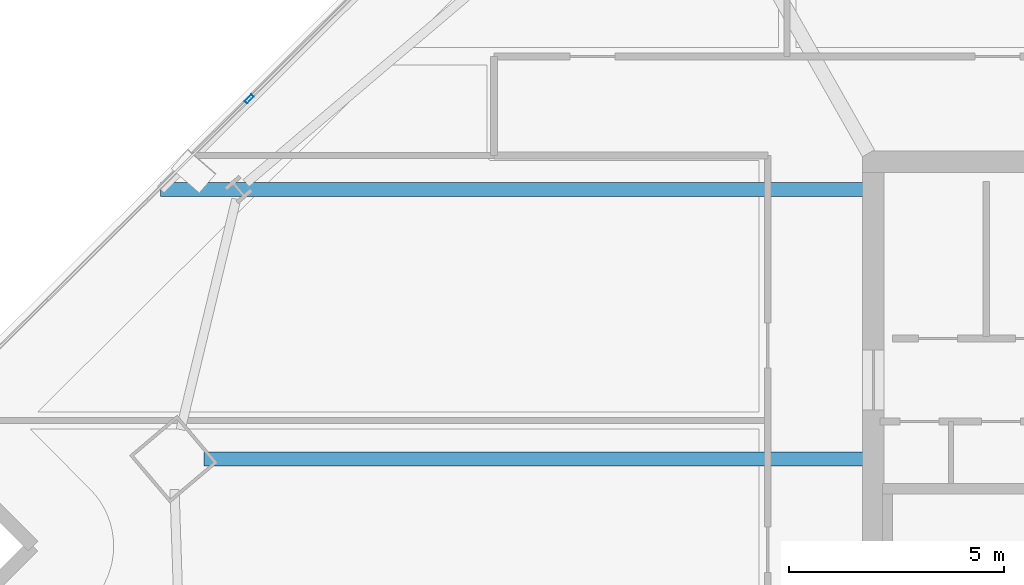
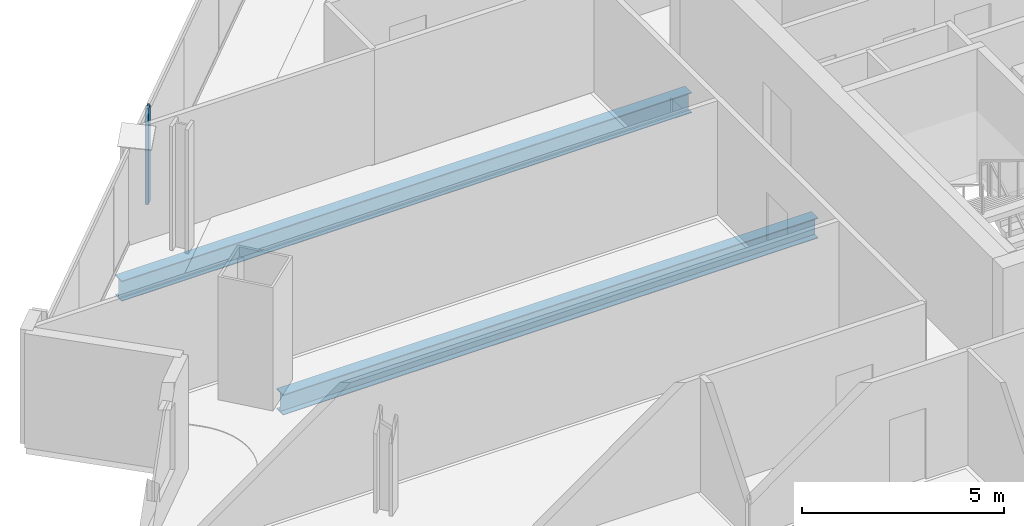
# One storey, part 14 of 32: 2 beams, 1 member, 1 element without a shape of its own.
"""IFC4 building model written with IfcOpenShell, lengths in metres."""

from ifc_helpers import new_model, si_unit, direction, frame, origin, origin_2d, place, context, subcontext, project, spatial, hollow_rectangle, i_section, extrude, material, material_profile, profile_set, type_object, element, aggregate, save


model = new_model("IFC4")

# Units and contexts
model_context = context("Model", 3, precision=1e-05, world=origin(), true_north=direction((0.0, 1.0)))
body_context = subcontext(model_context, "Body", "Model", "MODEL_VIEW")
ifc_project = project(units=[si_unit("LENGTHUNIT", "METRE"), si_unit("AREAUNIT", "SQUARE_METRE"), si_unit("VOLUMEUNIT", "CUBIC_METRE"), si_unit("PLANEANGLEUNIT", "RADIAN"), si_unit("MASSUNIT", "GRAM", prefix="KILO")], contexts=[model_context])

# Site, building, storey
site_placement = place(None, origin())
site = spatial("IfcSite", under=ifc_project, at=site_placement, CompositionType="ELEMENT")
building_placement = place(site_placement, origin())
building = spatial("IfcBuilding", under=site, at=building_placement, Name="Haldenkirk Collegiate Tower", CompositionType="ELEMENT")
storey_placement = place(building_placement, frame((0.0, 0.0, 178.199951171875)))
storey = spatial("IfcBuildingStorey", under=building, at=storey_placement, Name="L44", CompositionType="ELEMENT", Elevation=178.199951171875)

# Beams
ifc_material_1 = material(Name="Steel ASTM A992 Grade 50", Category="steel")
ifc_material_profile_1 = material_profile(ifc_material_1, i_section(OverallWidth=0.324951171875, OverallDepth=0.615966796875, WebThickness=0.013916015625, FlangeThickness=0.021484375, at=origin_2d()), Name="W24X117")
ifc_profile_set_1 = profile_set([ifc_material_profile_1], Name="Steel ASTM A992 Grade 50")
beam_type = type_object("IfcBeamType", Name="BM-GIRDER-W24X117", PredefinedType="BEAM", material=ifc_profile_set_1)
beam_1_placement = place(storey_placement, frame((11.466064453125, 27.103759765625, -0.597900390625), z_axis=(1.0, 0.0, 0.0), x_axis=(0.0, 1.0, 0.0)))
element("IfcBeam", 1, at=beam_1_placement, inside=storey, type_object=beam_type, Name="L44 primary floor girder 04", PredefinedType="BEAM", context=body_context, shape_type="SweptSolid", body=[
    extrude(i_section(OverallWidth=0.324951171875, OverallDepth=0.615966796875, WebThickness=0.013916015625, FlangeThickness=0.021484375, at=origin_2d()), origin(), (0.0, 0.0, 1.0), 15.303955078125),
])
beam_2_placement = place(storey_placement, frame((10.460205078125, 33.360107421875, -0.597900390625), z_axis=(1.0, 0.0, 0.0), x_axis=(0.0, 1.0, 0.0)))
element("IfcBeam", 2, at=beam_2_placement, inside=storey, type_object=beam_type, Name="L44 primary floor girder 13", PredefinedType="BEAM", context=body_context, shape_type="SweptSolid", body=[
    extrude(i_section(OverallWidth=0.324951171875, OverallDepth=0.615966796875, WebThickness=0.013916015625, FlangeThickness=0.021484375, at=origin_2d()), origin(), (0.0, 0.0, 1.0), 16.309814453125),
])

# Curtain wall, member
ifc_material_2 = material(Name="Anodised architectural bronze aluminium", Category="aluminium")
curtain_wall_type = type_object("IfcCurtainWallType", Name="CW-SYS1-CONVEX-LOW", PredefinedType="USERDEFINED", material=ifc_material_2)
curtain_wall_placement = place(storey_placement, origin())
curtain_wall = element("IfcCurtainWall", 3, at=curtain_wall_placement, inside=storey, type_object=curtain_wall_type, Name="L44 Lower tower convex bronze-framed unitised curtain wall", ObjectType="UNITISED CURTAIN WALL", PredefinedType="USERDEFINED")
ifc_material_profile_2 = material_profile(ifc_material_2, hollow_rectangle(XDim=0.080078125, YDim=0.219970703125, WallThickness=0.0048828125, at=origin_2d()), Name="CW-MUL-1A")
ifc_profile_set_2 = profile_set([ifc_material_profile_2], Name="Anodised architectural bronze aluminium")
member_type = type_object("IfcMemberType", Name="CW-MUL-1A", PredefinedType="MULLION", material=ifc_profile_set_2)
member_placement = place(storey_placement, frame((12.516845703125, 35.46240234375, 0.0), z_axis=(0.0, 0.0, 1.0), x_axis=(-0.705254733822, 0.708953990342, 0.0)))
member = element("IfcMember", 4, at=member_placement, type_object=member_type, Name="CW-1A mullion 2", PredefinedType="MULLION", context=body_context, shape_type="SweptSolid", body=[
    extrude(hollow_rectangle(XDim=0.080078125, YDim=0.219970703125, WallThickness=0.0048828125, at=origin_2d()), origin(), (0.0, 0.0, 1.0), 2.9111328125),
])
aggregate(curtain_wall, [member])

save(model, "model.ifc")
